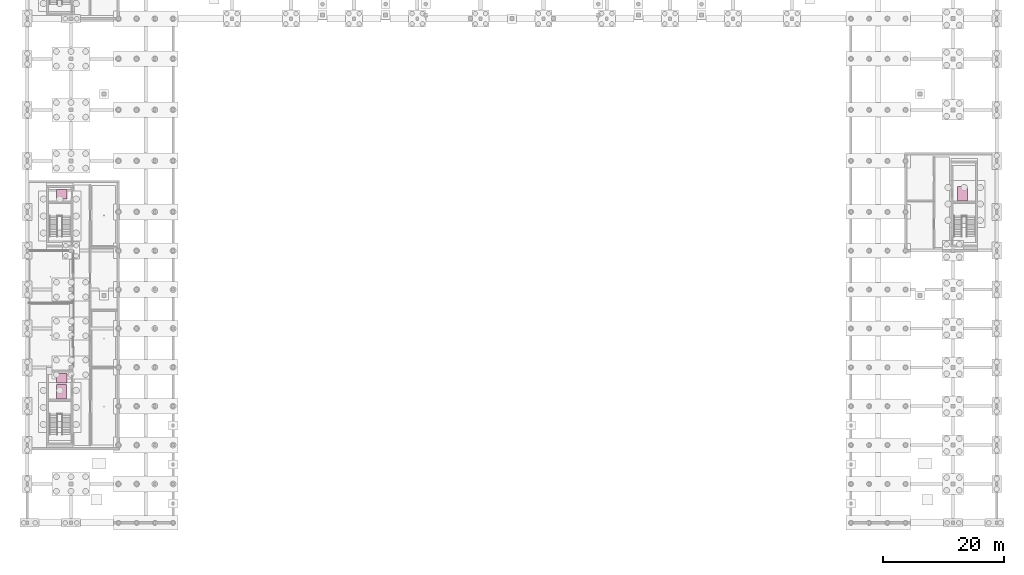
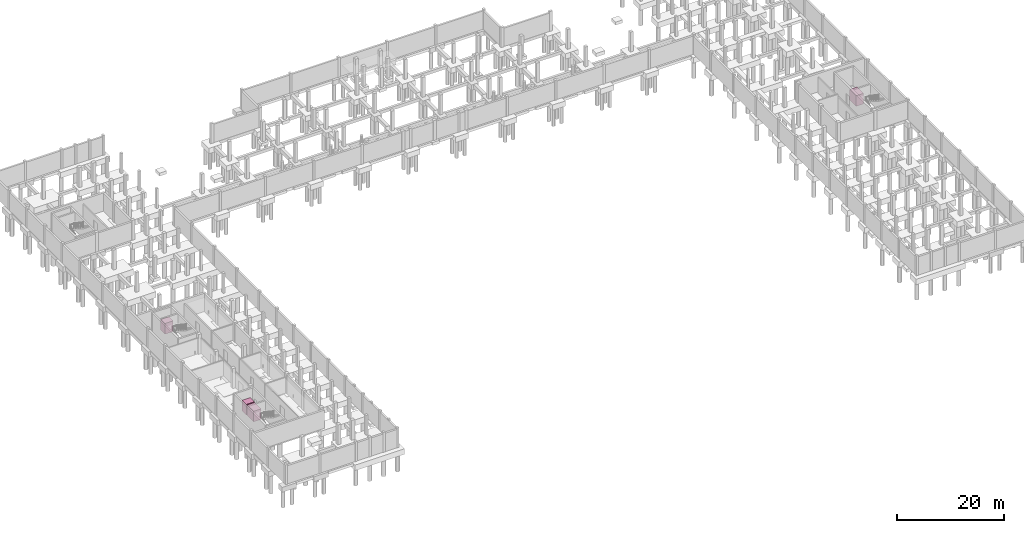
# One storey, part 21 of 21: 4 transport elements.
"""IFC4 building model written with IfcOpenShell, lengths in metres."""

import ifcopenshell
import ifcopenshell.guid

model = None  # the IFC model being written
_history = None  # IfcOwnerHistory: only IFC2X3 demands one
_inside = {}  # id of a spatial element -> (the spatial element, [elements in it])
_under = {}  # id of a project, library or spatial element -> (it, [spatial elements below it])
_declared = {}  # id of a project -> (the project, [libraries it declares])
_typed = {}  # id of a type object -> (the type object, [elements of that type])
_made_of = {}  # id of a material, layer set ... -> (it, [elements and type objects made of it])


def new_model(schema):
    """Start an empty IFC model of exactly this schema.

    Asked for "IFC4X3", IfcOpenShell would pick the latest addendum, in which some entities
    have other attributes; the version numbers below select the first issue.
    IFC2X3 requires an IfcOwnerHistory on every rooted entity: one is made here for all.
    """
    global model, _history
    if schema == "IFC4X3":
        model = ifcopenshell.file(schema_version=(4, 3, 0, 0))
    else:
        model = ifcopenshell.file(schema=schema)
    _inside.clear()
    _under.clear()
    _declared.clear()
    _typed.clear()
    _made_of.clear()
    _history = None
    if model.schema == "IFC2X3":
        org = make("IfcOrganization", Name="unknown")
        user = make(
            "IfcPersonAndOrganization",
            ThePerson=make("IfcPerson", FamilyName="unknown"),
            TheOrganization=org,
        )
        app = make(
            "IfcApplication",
            ApplicationDeveloper=org,
            Version="unknown",
            ApplicationFullName="unknown",
            ApplicationIdentifier="unknown",
        )
        _history = make(
            "IfcOwnerHistory",
            OwningUser=user,
            OwningApplication=app,
            ChangeAction="ADDED",
            CreationDate=0,
        )
    return model


def make(cls, **values):
    """One entity of the class cls with the attributes given. An attribute that is None is left unset."""
    return model.create_entity(
        cls, **{name: value for name, value in values.items() if value is not None}
    )


def rooted(cls, **values):
    """An entity with a GlobalId (a new one), such as an element, a storey or a relation."""
    return make(cls, GlobalId=ifcopenshell.guid.new(), OwnerHistory=_history, **values)


def si_unit(unit_type, name, prefix=None):
    """IfcSIUnit, for example si_unit("LENGTHUNIT", "METRE", prefix="MILLI")."""
    return make("IfcSIUnit", UnitType=unit_type, Prefix=prefix, Name=name)


def derived_unit(unit_type, elements):
    """IfcDerivedUnit: a product of units, each with its exponent."""
    return make(
        "IfcDerivedUnit",
        Elements=[
            make("IfcDerivedUnitElement", Unit=unit, Exponent=power)
            for unit, power in elements
        ],
        UnitType=unit_type,
    )


def assignment(units):
    """IfcUnitAssignment: the units of a project."""
    return None if units is None else make("IfcUnitAssignment", Units=units)


def point(xyz):
    """IfcCartesianPoint."""
    return None if xyz is None else make("IfcCartesianPoint", Coordinates=xyz)


def direction(xyz):
    """IfcDirection."""
    return None if xyz is None else make("IfcDirection", DirectionRatios=xyz)


def frame(location, z_axis=None, x_axis=None):
    """IfcAxis2Placement3D, a coordinate frame: its origin and axes. An axis left out is left unset."""
    return make(
        "IfcAxis2Placement3D",
        Location=point(location),
        Axis=direction(z_axis),
        RefDirection=direction(x_axis),
    )


def frame_2d(location, x_axis=None):
    """IfcAxis2Placement2D, a coordinate frame in the plane: its origin and x axis."""
    return make(
        "IfcAxis2Placement2D", Location=point(location), RefDirection=direction(x_axis)
    )


def origin():
    """The frame at (0, 0, 0) with its axes left unset."""
    return frame((0.0, 0.0, 0.0))


def origin_2d():
    """The frame at (0, 0) in the plane with its x axis left unset."""
    return frame_2d((0.0, 0.0))


def place(relative_to, where):
    """IfcLocalPlacement: puts the frame where relative to a parent placement (None: the world)."""
    return make(
        "IfcLocalPlacement", PlacementRelTo=relative_to, RelativePlacement=where
    )


def context(
    kind, dimensions, precision=None, world=None, true_north=None, identifier=None
):
    """IfcGeometricRepresentationContext, for example the 3D "Model" context."""
    return make(
        "IfcGeometricRepresentationContext",
        ContextIdentifier=identifier,
        ContextType=kind,
        CoordinateSpaceDimension=dimensions,
        Precision=precision,
        WorldCoordinateSystem=world,
        TrueNorth=true_north,
    )


def subcontext(parent, identifier, kind, view, scale=None):
    """IfcGeometricRepresentationSubContext, for example "Body" below "Model"."""
    return make(
        "IfcGeometricRepresentationSubContext",
        ContextIdentifier=identifier,
        ContextType=kind,
        ParentContext=parent,
        TargetScale=scale,
        TargetView=view,
    )


def project(units=None, contexts=None):
    """IfcProject with its units and contexts."""
    return rooted(
        "IfcProject",
        Name="project",
        RepresentationContexts=contexts,
        UnitsInContext=assignment(units),
    )


def spatial(cls, under=None, at=None, **own):
    """A site, building, storey or space (cls), placed at a placement, below another one or the project."""
    s = rooted(cls, ObjectPlacement=at, **own)
    if under is not None:
        _under.setdefault(under.id(), (under, []))[1].append(s)
    return s


def profile(cls, at=None, kind="AREA", **sizes):
    """A parametric profile (cls). Its sizes go by their IFC names, for example OverallWidth=200.0."""
    return make(cls, ProfileType=kind, Position=at, **sizes)


def rectangle(**sizes):
    """IfcRectangleProfileDef."""
    return profile("IfcRectangleProfileDef", **sizes)


def extrude(swept, where, along, depth):
    """IfcExtrudedAreaSolid: the profile swept, set in the frame where, extruded along a direction by depth."""
    return make(
        "IfcExtrudedAreaSolid",
        SweptArea=swept,
        Position=where,
        ExtrudedDirection=direction(along),
        Depth=depth,
    )


def shape(context_of_items, identifier, shape_type, items):
    """IfcShapeRepresentation: the items that make up one representation, for example the "Body"."""
    return make(
        "IfcShapeRepresentation",
        ContextOfItems=context_of_items,
        RepresentationIdentifier=identifier,
        RepresentationType=shape_type,
        Items=items,
    )


def material(Name=None, Category=None):
    """IfcMaterial."""
    return make("IfcMaterial", Name=Name, Category=Category)


def made_of(thing, what):
    """Note that an element or type object is made of a material, layer set ...; save() writes the relation."""
    if what is not None:
        _made_of.setdefault(what.id(), (what, []))[1].append(thing)
    return thing


def type_object(cls, material=None, **own):
    """A type object (cls), such as IfcWallType, which elements share."""
    return made_of(rooted(cls, **own), material)


def element(
    cls,
    number,
    at=None,
    inside=None,
    cuts=None,
    type_object=None,
    material=None,
    context=None,
    identifier="Body",
    shape_type=None,
    held_by="IfcProductDefinitionShape",
    body=None,
    shapes=None,
    **own,
):
    """One element of the class cls, such as IfcWall. Its Tag is "e" and its number.

    at: its placement. inside: the storey or other place that contains it. cuts: it is an
    opening in that element (IfcRelVoidsElement). A single representation is given by context,
    identifier, shape_type and body (its items); several are given by shapes. held_by: the class
    of the entity that holds the representations. save() writes the other relations.
    """
    e = rooted(cls, Tag="e%d" % number, ObjectPlacement=at, **own)
    if body is not None:
        shapes = [shape(context, identifier, shape_type, body)]
    if shapes is not None:
        e.Representation = make(held_by, Representations=shapes)
    if inside is not None:
        _inside.setdefault(inside.id(), (inside, []))[1].append(e)
    if cuts is not None:
        rooted(
            "IfcRelVoidsElement", RelatingBuildingElement=cuts, RelatedOpeningElement=e
        )
    if type_object is not None:
        _typed.setdefault(type_object.id(), (type_object, []))[1].append(e)
    return made_of(e, material)


def aggregate(whole, parts):
    """IfcRelAggregates: a whole, such as a stair, and the parts it consists of."""
    return rooted("IfcRelAggregates", RelatingObject=whole, RelatedObjects=parts)


def save(model, path):
    """Write the relations noted so far, then the file.

    IfcRelAggregates (storeys below a building ...), IfcRelContainedInSpatialStructure (elements
    in a storey), IfcRelDefinesByType, IfcRelAssociatesMaterial and IfcRelDeclares: one each for
    every whole, place, type object, material and project.
    """
    for whole, parts in _under.values():
        aggregate(whole, parts)
    for where, things in _inside.values():
        rooted(
            "IfcRelContainedInSpatialStructure",
            RelatedElements=things,
            RelatingStructure=where,
        )
    for kind, things in _typed.values():
        rooted("IfcRelDefinesByType", RelatedObjects=things, RelatingType=kind)
    for what, things in _made_of.values():
        rooted("IfcRelAssociatesMaterial", RelatedObjects=things, RelatingMaterial=what)
    for by, libraries in _declared.values():
        rooted("IfcRelDeclares", RelatingContext=by, RelatedDefinitions=libraries)
    model.write(path)


model = new_model("IFC4")

# Units and contexts
model_context = context("Model", 3, precision=1e-05, world=origin(), true_north=direction((0.0, 1.0)))
body_context = subcontext(model_context, "Body", "Model", "MODEL_VIEW")
ifc_project = project(units=[si_unit("LENGTHUNIT", "METRE"), si_unit("AREAUNIT", "SQUARE_METRE"), si_unit("VOLUMEUNIT", "CUBIC_METRE"), si_unit("PLANEANGLEUNIT", "RADIAN"), si_unit("MASSUNIT", "GRAM", prefix="KILO"), derived_unit("THERMALTRANSMITTANCEUNIT", [(si_unit("POWERUNIT", "WATT"), 1), (si_unit("LENGTHUNIT", "METRE"), -2), (si_unit("THERMODYNAMICTEMPERATUREUNIT", "KELVIN"), -1)])], contexts=[model_context])

# Site, building, storey
site_placement = place(None, origin())
site = spatial("IfcSite", under=ifc_project, at=site_placement, CompositionType="ELEMENT")
building_placement = place(site_placement, origin())
building = spatial("IfcBuilding", under=site, at=building_placement, Name="Braskholm Square Health Centre", CompositionType="ELEMENT")
storey_placement = place(building_placement, frame((0.0, 0.0, -4.5)))
storey = spatial("IfcBuildingStorey", under=building, at=storey_placement, Name="B01", CompositionType="ELEMENT", Elevation=-4.5)

# Transport elements
ifc_material = material(Name="Architectural bronze anodised aluminium", Category="aluminium")
transport_element_type_1 = type_object("IfcTransportElementType", Name="PassengerElevatorCar1600", PredefinedType="ELEVATOR", material=ifc_material)
for number, where, z_axis, x_axis, name in (
    (1, (9.85009765625, 28.0, 0.0), (0.0, 0.0, 1.0), (1.0, 0.0, 0.0), "Elevator EL-03"),
    (2, (9.85009765625, 58.300048828125, 0.0), (0.0, 0.0, 1.0), (1.0, 0.0, 0.0), "Elevator EL-04"),
):
    element("IfcTransportElement", number, at=place(storey_placement, frame(where, z_axis=z_axis, x_axis=x_axis)), inside=storey, type_object=transport_element_type_1, Name=name, PredefinedType="ELEVATOR", context=body_context, shape_type="SweptSolid", body=[
        extrude(rectangle(XDim=1.75, YDim=1.60009765625, at=origin_2d()), origin(), (0.0, 0.0, 1.0), 2.39990234375),
    ])
transport_element_type_2 = type_object("IfcTransportElementType", Name="StretcherElevatorCar2250", PredefinedType="ELEVATOR", material=ifc_material)
for number, where, z_axis, x_axis, name in (
    (3, (9.85009765625, 25.800048828125, 0.0), (0.0, 0.0, 1.0), (1.0, 0.0, 0.0), "Elevator EL-01"),
    (4, (158.14990234375, 58.39990234375, 0.0), (0.0, 0.0, 1.0), (1.0, 0.0, 0.0), "Elevator EL-02"),
):
    element("IfcTransportElement", number, at=place(storey_placement, frame(where, z_axis=z_axis, x_axis=x_axis)), inside=storey, type_object=transport_element_type_2, Name=name, PredefinedType="ELEVATOR", context=body_context, shape_type="SweptSolid", body=[
        extrude(rectangle(XDim=1.60009765625, YDim=2.39990234375, at=origin_2d()), origin(), (0.0, 0.0, 1.0), 2.39990234375),
    ])

save(model, "model.ifc")
